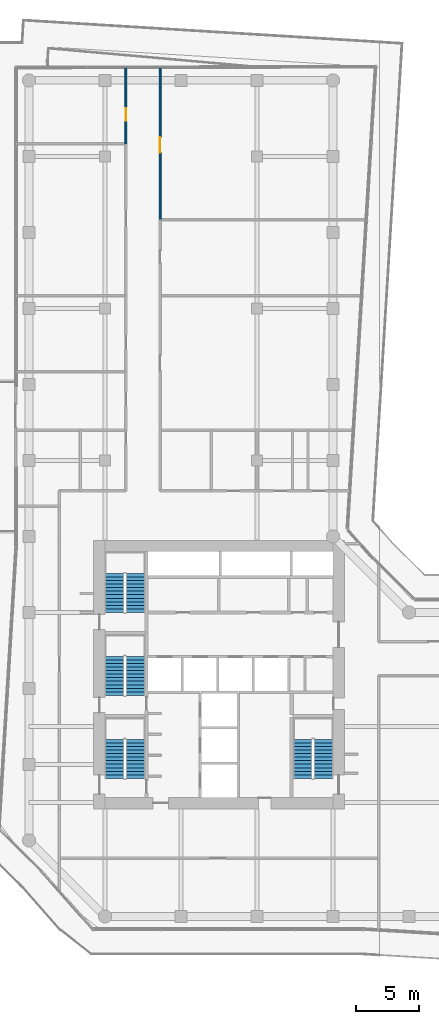
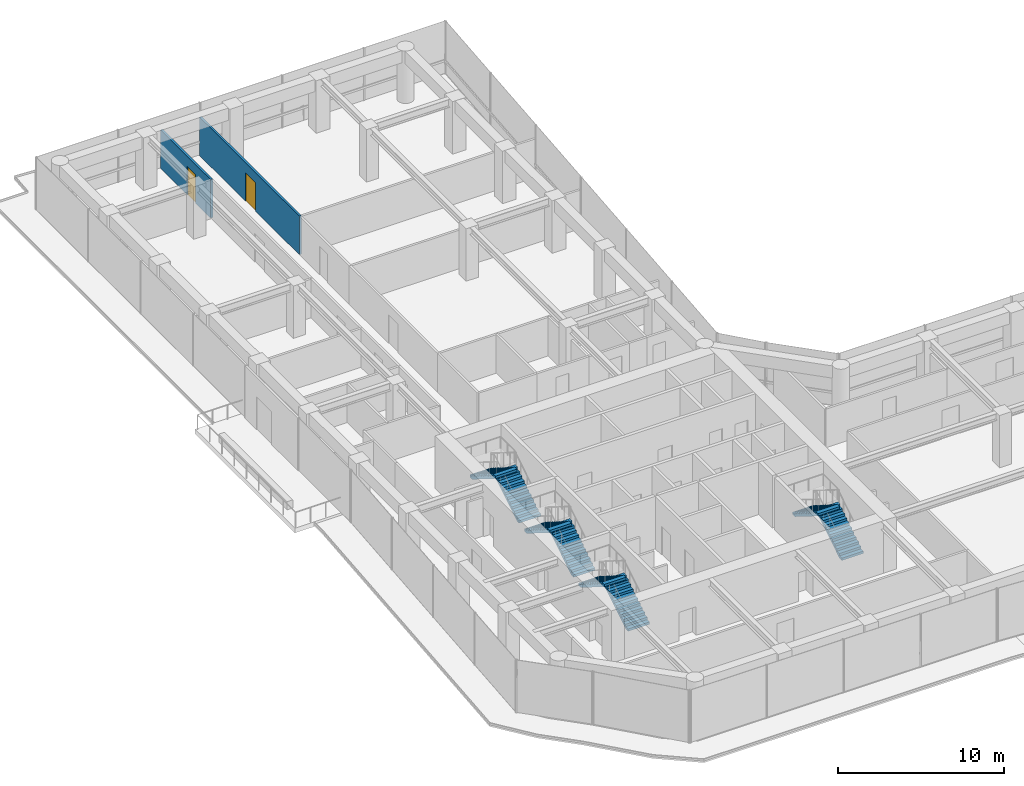
# One storey, part 25 of 27: 8 stair flights, 2 doors, 2 walls, 2 openings, 4 elements without a shape of their own.
"""IFC4 building model written with IfcOpenShell, lengths in metres."""

from ifc_helpers import new_model, si_unit, direction, frame, frame_2d, origin, place, context, subcontext, project, spatial, polyline, rectangle, outline, extrude, material, layer, layer_set, type_object, element, fill, aggregate, save


model = new_model("IFC4")

# Units and contexts
model_context = context("Model", 3, precision=1e-05, world=origin(), true_north=direction((0.0, 1.0)))
body_context = subcontext(model_context, "Body", "Model", "MODEL_VIEW")
ifc_project = project(units=[si_unit("LENGTHUNIT", "METRE"), si_unit("AREAUNIT", "SQUARE_METRE"), si_unit("VOLUMEUNIT", "CUBIC_METRE"), si_unit("PLANEANGLEUNIT", "RADIAN"), si_unit("MASSUNIT", "GRAM", prefix="KILO")], contexts=[model_context])

# Site, building, storey
site_placement = place(None, origin())
site = spatial("IfcSite", under=ifc_project, at=site_placement, CompositionType="ELEMENT")
building_placement = place(site_placement, origin())
building = spatial("IfcBuilding", under=site, at=building_placement, Name="Welwitschia Terrace Campus", CompositionType="ELEMENT")
storey_placement = place(building_placement, frame((0.0, 0.0, 37.39990234375)))
storey = spatial("IfcBuildingStorey", under=building, at=storey_placement, Name="L08", CompositionType="ELEMENT", Elevation=37.39990234375)

# Wall, opening, door
ifc_material_1 = material(Name="Gypsum board on steel studs", Category="steel")
ifc_layer = layer(ifc_material_1, 0.14990234375)
ifc_layer_set = layer_set([ifc_layer], Name="Gypsum board on steel studs")
wall_type = type_object("IfcWallType", Name="Corridor partition 150 EI 30", PredefinedType="PARTITIONING", material=ifc_layer_set)
wall_1_placement = place(storey_placement, frame((7.64990234375, 57.0, 0.0), z_axis=(0.0, 0.0, 1.0), x_axis=(0.0, 1.0, 0.0)))
wall_1 = element("IfcWall", 1, at=wall_1_placement, inside=storey, type_object=wall_type, Name="Partition", PredefinedType="PARTITIONING", context=body_context, shape_type="SweptSolid", body=[
    extrude(rectangle(XDim=6.02001953125, YDim=0.14990234375, at=frame_2d((3.010009765625, 0.0))), origin(), (0.0, 0.0, 1.0), 2.830078125),
])
opening_1_placement = place(wall_1_placement, frame((1.820068359375, 0.0, 0.0)))
opening_1 = element("IfcOpeningElement", 2, at=opening_1_placement, cuts=wall_1, Name="Opening DI10", PredefinedType="OPENING", context=body_context, shape_type="SweptSolid", body=[
    extrude(rectangle(XDim=1.0, YDim=2.10009765625, at=frame_2d((0.5, 1.050048828125))), frame((0.0, 0.0849609375, 0.0), z_axis=(0.0, -1.0, 0.0), x_axis=(1.0, 0.0, 0.0)), (0.0, 0.0, 1.0), 0.169921875),
])
ifc_material_2 = material(Name="Timber veneered door", Category="wood")
door_type_1 = type_object("IfcDoorType", Name="Interior door DI10", OperationType="NOTDEFINED", PredefinedType="DOOR", material=ifc_material_2)
door_1_placement = place(opening_1_placement, origin())
door_1 = element("IfcDoor", 3, at=door_1_placement, inside=storey, type_object=door_type_1, Name="Door L08 193", OperationType="SINGLE_SWING_RIGHT", OverallHeight=2.10009765625, OverallWidth=1.0, PredefinedType="DOOR", context=body_context, shape_type="SweptSolid", body=[
    extrude(rectangle(XDim=1.0, YDim=2.10009765625, at=frame_2d((0.5, 1.050048828125))), frame((0.0, 0.02490234375, 0.0), z_axis=(0.0, -1.0, 0.0), x_axis=(1.0, 0.0, 0.0)), (0.0, 0.0, 1.0), 0.050048828125),
])
fill(opening_1, door_1)

wall_2_placement = place(storey_placement, frame((10.35009765625, 63.0146484375, 0.0), z_axis=(0.0, 0.0, 1.0), x_axis=(0.0, -1.0, 0.0)))
wall_2 = element("IfcWall", 4, at=wall_2_placement, inside=storey, type_object=wall_type, Name="Partition", PredefinedType="PARTITIONING", context=body_context, shape_type="SweptSolid", body=[
    extrude(rectangle(XDim=12.0146484375, YDim=0.14990234375, at=frame_2d((6.00732421875, 0.0))), origin(), (0.0, 0.0, 1.0), 2.830078125),
])
opening_2_placement = place(wall_2_placement, frame((5.5146484375, 0.0, 0.0)))
opening_2 = element("IfcOpeningElement", 5, at=opening_2_placement, cuts=wall_2, Name="Opening DI12", PredefinedType="OPENING", context=body_context, shape_type="SweptSolid", body=[
    extrude(rectangle(XDim=1.199951171875, YDim=2.10009765625, at=frame_2d((0.60009765625, 1.050048828125))), frame((0.0, 0.0849609375, 0.0), z_axis=(0.0, -1.0, 0.0), x_axis=(1.0, 0.0, 0.0)), (0.0, 0.0, 1.0), 0.169921875),
])
ifc_material_3 = material(Name="Timber veneered door", Category="wood")
door_type_2 = type_object("IfcDoorType", Name="Interior door DI12", OperationType="NOTDEFINED", PredefinedType="DOOR", material=ifc_material_3)
door_2_placement = place(opening_2_placement, origin())
door_2 = element("IfcDoor", 6, at=door_2_placement, inside=storey, type_object=door_type_2, Name="Door L08 196", OperationType="SINGLE_SWING_LEFT", OverallHeight=2.10009765625, OverallWidth=1.199951171875, PredefinedType="DOOR", context=body_context, shape_type="SweptSolid", body=[
    extrude(rectangle(XDim=1.199951171875, YDim=2.10009765625, at=frame_2d((0.60009765625, 1.050048828125))), frame((0.0, 0.02490234375, 0.0), z_axis=(0.0, -1.0, 0.0), x_axis=(1.0, 0.0, 0.0)), (0.0, 0.0, 1.0), 0.050048828125),
])
fill(opening_2, door_2)

# Stair, stair flights
ifc_material_4 = material(Name="Concrete C40/50", Category="concrete")
stair_type = type_object("IfcStairType", Name="Stair 24R 175 W1500", PredefinedType="HALF_TURN_STAIR", material=ifc_material_4)
stair_1_placement = place(storey_placement, origin())
stair_1 = element("IfcStair", 7, at=stair_1_placement, inside=storey, type_object=stair_type, Name="L08 Exit stair S1", PredefinedType="HALF_TURN_STAIR")
ifc_material_5 = material(Name="Concrete C40/50", Category="concrete")
stair_flight_type = type_object("IfcStairFlightType", Name="Stair flight 24R 175 W1500", PredefinedType="STRAIGHT", material=ifc_material_5)
stair_flight_1_placement = place(storey_placement, frame((8.39990234375, 6.89990234375, 0.0), z_axis=(0.0, 0.0, 1.0), x_axis=(0.0, 1.0, 0.0)))
stair_flight_1 = element("IfcStairFlight", 8, at=stair_flight_1_placement, type_object=stair_flight_type, Name="S1 flight 1", NumberOfRisers=12, NumberOfTreads=11, PredefinedType="STRAIGHT", RiserHeight=0.175, TreadLength=0.28, context=body_context, shape_type="SweptSolid", body=[
    extrude(outline(polyline([(0.0, 0.0), (0.0, 0.175048828125), (0.280029296875, 0.175048828125), (0.280029296875, 0.35009765625), (0.56005859375, 0.35009765625), (0.56005859375, 0.52490234375), (0.840087890625, 0.52490234375), (0.840087890625, 0.699951171875), (1.1201171875, 0.699951171875), (1.1201171875, 0.875), (1.39990234375, 0.875), (1.39990234375, 1.050048828125), (1.679931640625, 1.050048828125), (1.679931640625, 1.22509765625), (1.9599609375, 1.22509765625), (1.9599609375, 1.39990234375), (2.239990234375, 1.39990234375), (2.239990234375, 1.574951171875), (2.52001953125, 1.574951171875), (2.52001953125, 1.75), (2.800048828125, 1.75), (2.800048828125, 1.925048828125), (3.080078125, 1.925048828125), (3.080078125, 2.10009765625), (3.080078125, 1.748291015625), (0.28271484375, 0.0), (0.0, 0.0)])), frame((0.0, 0.75, 0.0), z_axis=(0.0, -1.0, 0.0), x_axis=(1.0, 0.0, 0.0)), (0.0, 0.0, 1.0), 1.5),
])
stair_flight_2_placement = place(storey_placement, frame((6.75, 9.97998046875, 2.10009765625), z_axis=(0.0, 0.0, 1.0), x_axis=(0.0, -1.0, 0.0)))
stair_flight_2 = element("IfcStairFlight", 9, at=stair_flight_2_placement, type_object=stair_flight_type, Name="S1 flight 2", NumberOfRisers=12, NumberOfTreads=11, PredefinedType="STRAIGHT", RiserHeight=0.175, TreadLength=0.28, context=body_context, shape_type="SweptSolid", body=[
    extrude(outline(polyline([(0.0, 0.0), (0.0, 0.175048828125), (0.280029296875, 0.175048828125), (0.280029296875, 0.35009765625), (0.56005859375, 0.35009765625), (0.56005859375, 0.52490234375), (0.840087890625, 0.52490234375), (0.840087890625, 0.699951171875), (1.1201171875, 0.699951171875), (1.1201171875, 0.875), (1.39990234375, 0.875), (1.39990234375, 1.050048828125), (1.679931640625, 1.050048828125), (1.679931640625, 1.22509765625), (1.9599609375, 1.22509765625), (1.9599609375, 1.39990234375), (2.239990234375, 1.39990234375), (2.239990234375, 1.574951171875), (2.52001953125, 1.574951171875), (2.52001953125, 1.75), (2.800048828125, 1.75), (2.800048828125, 1.925048828125), (3.080078125, 1.925048828125), (3.080078125, 2.10009765625), (3.080078125, 1.748291015625), (0.28271484375, 0.0), (0.0, 0.0)])), frame((0.0, 0.75, 0.0), z_axis=(0.0, -1.0, 0.0), x_axis=(1.0, 0.0, 0.0)), (0.0, 0.0, 1.0), 1.5),
])
aggregate(stair_1, [stair_flight_1, stair_flight_2])

stair_2_placement = place(storey_placement, origin())
stair_2 = element("IfcStair", 10, at=stair_2_placement, inside=storey, type_object=stair_type, Name="L08 Exit stair S3", PredefinedType="HALF_TURN_STAIR")
stair_flight_3_placement = place(storey_placement, frame((8.39990234375, 13.449951171875, 0.0), z_axis=(0.0, 0.0, 1.0), x_axis=(0.0, 1.0, 0.0)))
stair_flight_3 = element("IfcStairFlight", 11, at=stair_flight_3_placement, type_object=stair_flight_type, Name="S3 flight 1", NumberOfRisers=12, NumberOfTreads=11, PredefinedType="STRAIGHT", RiserHeight=0.175, TreadLength=0.28, context=body_context, shape_type="SweptSolid", body=[
    extrude(outline(polyline([(0.0, 0.0), (0.0, 0.175048828125), (0.280029296875, 0.175048828125), (0.280029296875, 0.35009765625), (0.56005859375, 0.35009765625), (0.56005859375, 0.52490234375), (0.840087890625, 0.52490234375), (0.840087890625, 0.699951171875), (1.1201171875, 0.699951171875), (1.1201171875, 0.875), (1.39990234375, 0.875), (1.39990234375, 1.050048828125), (1.679931640625, 1.050048828125), (1.679931640625, 1.22509765625), (1.9599609375, 1.22509765625), (1.9599609375, 1.39990234375), (2.239990234375, 1.39990234375), (2.239990234375, 1.574951171875), (2.52001953125, 1.574951171875), (2.52001953125, 1.75), (2.800048828125, 1.75), (2.800048828125, 1.925048828125), (3.080078125, 1.925048828125), (3.080078125, 2.10009765625), (3.080078125, 1.748291015625), (0.28271484375, 0.0), (0.0, 0.0)])), frame((0.0, 0.75, 0.0), z_axis=(0.0, -1.0, 0.0), x_axis=(1.0, 0.0, 0.0)), (0.0, 0.0, 1.0), 1.5),
])
stair_flight_4_placement = place(storey_placement, frame((6.75, 16.530029296875, 2.10009765625), z_axis=(0.0, 0.0, 1.0), x_axis=(0.0, -1.0, 0.0)))
stair_flight_4 = element("IfcStairFlight", 12, at=stair_flight_4_placement, type_object=stair_flight_type, Name="S3 flight 2", NumberOfRisers=12, NumberOfTreads=11, PredefinedType="STRAIGHT", RiserHeight=0.175, TreadLength=0.28, context=body_context, shape_type="SweptSolid", body=[
    extrude(outline(polyline([(0.0, 0.0), (0.0, 0.175048828125), (0.280029296875, 0.175048828125), (0.280029296875, 0.35009765625), (0.56005859375, 0.35009765625), (0.56005859375, 0.52490234375), (0.840087890625, 0.52490234375), (0.840087890625, 0.699951171875), (1.1201171875, 0.699951171875), (1.1201171875, 0.875), (1.39990234375, 0.875), (1.39990234375, 1.050048828125), (1.679931640625, 1.050048828125), (1.679931640625, 1.22509765625), (1.9599609375, 1.22509765625), (1.9599609375, 1.39990234375), (2.239990234375, 1.39990234375), (2.239990234375, 1.574951171875), (2.52001953125, 1.574951171875), (2.52001953125, 1.75), (2.800048828125, 1.75), (2.800048828125, 1.925048828125), (3.080078125, 1.925048828125), (3.080078125, 2.10009765625), (3.080078125, 1.748291015625), (0.28271484375, 0.0), (0.0, 0.0)])), frame((0.0, 0.75, 0.0), z_axis=(0.0, -1.0, 0.0), x_axis=(1.0, 0.0, 0.0)), (0.0, 0.0, 1.0), 1.5),
])
aggregate(stair_2, [stair_flight_3, stair_flight_4])

stair_3_placement = place(storey_placement, origin())
stair_3 = element("IfcStair", 13, at=stair_3_placement, inside=storey, type_object=stair_type, Name="L08 Exit stair S4", PredefinedType="HALF_TURN_STAIR")
stair_flight_5_placement = place(storey_placement, frame((8.39990234375, 20.0, 0.0), z_axis=(0.0, 0.0, 1.0), x_axis=(0.0, 1.0, 0.0)))
stair_flight_5 = element("IfcStairFlight", 14, at=stair_flight_5_placement, type_object=stair_flight_type, Name="S4 flight 1", NumberOfRisers=12, NumberOfTreads=11, PredefinedType="STRAIGHT", RiserHeight=0.175, TreadLength=0.28, context=body_context, shape_type="SweptSolid", body=[
    extrude(outline(polyline([(0.0, 0.0), (0.0, 0.175048828125), (0.280029296875, 0.175048828125), (0.280029296875, 0.35009765625), (0.56005859375, 0.35009765625), (0.56005859375, 0.52490234375), (0.840087890625, 0.52490234375), (0.840087890625, 0.699951171875), (1.1201171875, 0.699951171875), (1.1201171875, 0.875), (1.39990234375, 0.875), (1.39990234375, 1.050048828125), (1.679931640625, 1.050048828125), (1.679931640625, 1.22509765625), (1.9599609375, 1.22509765625), (1.9599609375, 1.39990234375), (2.239990234375, 1.39990234375), (2.239990234375, 1.574951171875), (2.52001953125, 1.574951171875), (2.52001953125, 1.75), (2.800048828125, 1.75), (2.800048828125, 1.925048828125), (3.080078125, 1.925048828125), (3.080078125, 2.10009765625), (3.080078125, 1.748291015625), (0.28271484375, 0.0), (0.0, 0.0)])), frame((0.0, 0.75, 0.0), z_axis=(0.0, -1.0, 0.0), x_axis=(1.0, 0.0, 0.0)), (0.0, 0.0, 1.0), 1.5),
])
stair_flight_6_placement = place(storey_placement, frame((6.75, 23.080078125, 2.10009765625), z_axis=(0.0, 0.0, 1.0), x_axis=(0.0, -1.0, 0.0)))
stair_flight_6 = element("IfcStairFlight", 15, at=stair_flight_6_placement, type_object=stair_flight_type, Name="S4 flight 2", NumberOfRisers=12, NumberOfTreads=11, PredefinedType="STRAIGHT", RiserHeight=0.175, TreadLength=0.28, context=body_context, shape_type="SweptSolid", body=[
    extrude(outline(polyline([(0.0, 0.0), (0.0, 0.175048828125), (0.280029296875, 0.175048828125), (0.280029296875, 0.35009765625), (0.56005859375, 0.35009765625), (0.56005859375, 0.52490234375), (0.840087890625, 0.52490234375), (0.840087890625, 0.699951171875), (1.1201171875, 0.699951171875), (1.1201171875, 0.875), (1.39990234375, 0.875), (1.39990234375, 1.050048828125), (1.679931640625, 1.050048828125), (1.679931640625, 1.22509765625), (1.9599609375, 1.22509765625), (1.9599609375, 1.39990234375), (2.239990234375, 1.39990234375), (2.239990234375, 1.574951171875), (2.52001953125, 1.574951171875), (2.52001953125, 1.75), (2.800048828125, 1.75), (2.800048828125, 1.925048828125), (3.080078125, 1.925048828125), (3.080078125, 2.10009765625), (3.080078125, 1.748291015625), (0.28271484375, 0.0), (0.0, 0.0)])), frame((0.0, 0.75, 0.0), z_axis=(0.0, -1.0, 0.0), x_axis=(1.0, 0.0, 0.0)), (0.0, 0.0, 1.0), 1.5),
])
aggregate(stair_3, [stair_flight_5, stair_flight_6])

stair_4_placement = place(storey_placement, origin())
stair_4 = element("IfcStair", 16, at=stair_4_placement, inside=storey, type_object=stair_type, Name="L08 Exit stair S2", PredefinedType="HALF_TURN_STAIR")
stair_flight_7_placement = place(storey_placement, frame((23.25, 6.89990234375, 0.0), z_axis=(0.0, 0.0, 1.0), x_axis=(0.0, 1.0, 0.0)))
stair_flight_7 = element("IfcStairFlight", 17, at=stair_flight_7_placement, type_object=stair_flight_type, Name="S2 flight 1", NumberOfRisers=12, NumberOfTreads=11, PredefinedType="STRAIGHT", RiserHeight=0.175, TreadLength=0.28, context=body_context, shape_type="SweptSolid", body=[
    extrude(outline(polyline([(0.0, 0.0), (0.0, 0.175048828125), (0.280029296875, 0.175048828125), (0.280029296875, 0.35009765625), (0.56005859375, 0.35009765625), (0.56005859375, 0.52490234375), (0.840087890625, 0.52490234375), (0.840087890625, 0.699951171875), (1.1201171875, 0.699951171875), (1.1201171875, 0.875), (1.39990234375, 0.875), (1.39990234375, 1.050048828125), (1.679931640625, 1.050048828125), (1.679931640625, 1.22509765625), (1.9599609375, 1.22509765625), (1.9599609375, 1.39990234375), (2.239990234375, 1.39990234375), (2.239990234375, 1.574951171875), (2.52001953125, 1.574951171875), (2.52001953125, 1.75), (2.800048828125, 1.75), (2.800048828125, 1.925048828125), (3.080078125, 1.925048828125), (3.080078125, 2.10009765625), (3.080078125, 1.748291015625), (0.28271484375, 0.0), (0.0, 0.0)])), frame((0.0, 0.75, 0.0), z_axis=(0.0, -1.0, 0.0), x_axis=(1.0, 0.0, 0.0)), (0.0, 0.0, 1.0), 1.5),
])
stair_flight_8_placement = place(storey_placement, frame((21.60009765625, 9.97998046875, 2.10009765625), z_axis=(0.0, 0.0, 1.0), x_axis=(0.0, -1.0, 0.0)))
stair_flight_8 = element("IfcStairFlight", 18, at=stair_flight_8_placement, type_object=stair_flight_type, Name="S2 flight 2", NumberOfRisers=12, NumberOfTreads=11, PredefinedType="STRAIGHT", RiserHeight=0.175, TreadLength=0.28, context=body_context, shape_type="SweptSolid", body=[
    extrude(outline(polyline([(0.0, 0.0), (0.0, 0.175048828125), (0.280029296875, 0.175048828125), (0.280029296875, 0.35009765625), (0.56005859375, 0.35009765625), (0.56005859375, 0.52490234375), (0.840087890625, 0.52490234375), (0.840087890625, 0.699951171875), (1.1201171875, 0.699951171875), (1.1201171875, 0.875), (1.39990234375, 0.875), (1.39990234375, 1.050048828125), (1.679931640625, 1.050048828125), (1.679931640625, 1.22509765625), (1.9599609375, 1.22509765625), (1.9599609375, 1.39990234375), (2.239990234375, 1.39990234375), (2.239990234375, 1.574951171875), (2.52001953125, 1.574951171875), (2.52001953125, 1.75), (2.800048828125, 1.75), (2.800048828125, 1.925048828125), (3.080078125, 1.925048828125), (3.080078125, 2.10009765625), (3.080078125, 1.748291015625), (0.28271484375, 0.0), (0.0, 0.0)])), frame((0.0, 0.75, 0.0), z_axis=(0.0, -1.0, 0.0), x_axis=(1.0, 0.0, 0.0)), (0.0, 0.0, 1.0), 1.5),
])
aggregate(stair_4, [stair_flight_7, stair_flight_8])

save(model, "model.ifc")
